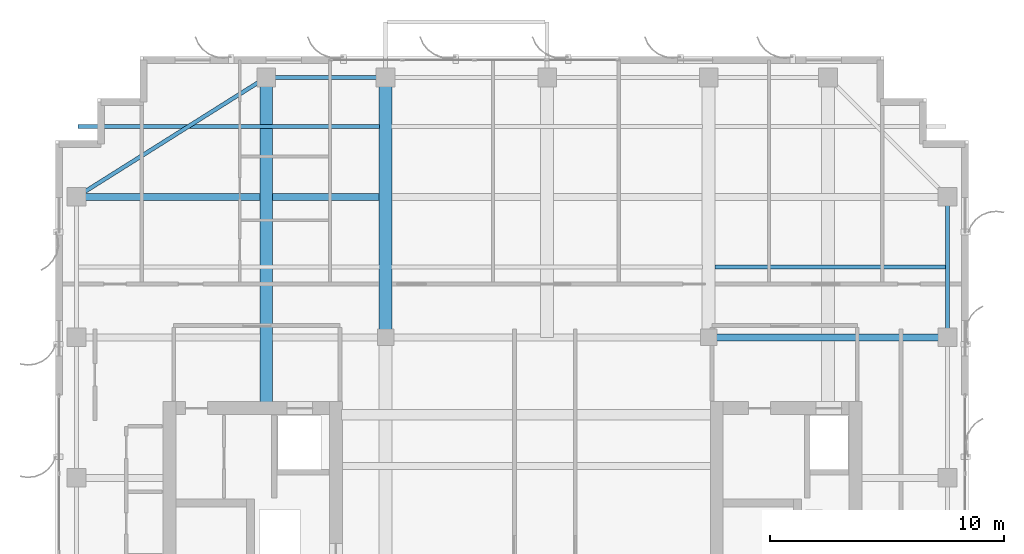
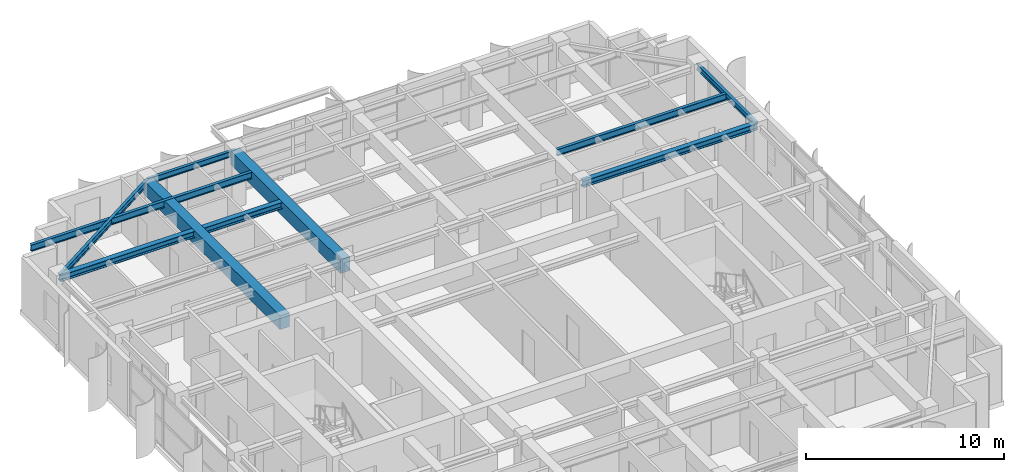
# One storey, part 13 of 23: 9 beams.
"""IFC4 building model written with IfcOpenShell, lengths in metres."""

import ifcopenshell
import ifcopenshell.guid

model = None  # the IFC model being written
_history = None  # IfcOwnerHistory: only IFC2X3 demands one
_inside = {}  # id of a spatial element -> (the spatial element, [elements in it])
_under = {}  # id of a project, library or spatial element -> (it, [spatial elements below it])
_declared = {}  # id of a project -> (the project, [libraries it declares])
_typed = {}  # id of a type object -> (the type object, [elements of that type])
_made_of = {}  # id of a material, layer set ... -> (it, [elements and type objects made of it])


def new_model(schema):
    """Start an empty IFC model of exactly this schema.

    Asked for "IFC4X3", IfcOpenShell would pick the latest addendum, in which some entities
    have other attributes; the version numbers below select the first issue.
    IFC2X3 requires an IfcOwnerHistory on every rooted entity: one is made here for all.
    """
    global model, _history
    if schema == "IFC4X3":
        model = ifcopenshell.file(schema_version=(4, 3, 0, 0))
    else:
        model = ifcopenshell.file(schema=schema)
    _inside.clear()
    _under.clear()
    _declared.clear()
    _typed.clear()
    _made_of.clear()
    _history = None
    if model.schema == "IFC2X3":
        org = make("IfcOrganization", Name="unknown")
        user = make(
            "IfcPersonAndOrganization",
            ThePerson=make("IfcPerson", FamilyName="unknown"),
            TheOrganization=org,
        )
        app = make(
            "IfcApplication",
            ApplicationDeveloper=org,
            Version="unknown",
            ApplicationFullName="unknown",
            ApplicationIdentifier="unknown",
        )
        _history = make(
            "IfcOwnerHistory",
            OwningUser=user,
            OwningApplication=app,
            ChangeAction="ADDED",
            CreationDate=0,
        )
    return model


def make(cls, **values):
    """One entity of the class cls with the attributes given. An attribute that is None is left unset."""
    return model.create_entity(
        cls, **{name: value for name, value in values.items() if value is not None}
    )


def rooted(cls, **values):
    """An entity with a GlobalId (a new one), such as an element, a storey or a relation."""
    return make(cls, GlobalId=ifcopenshell.guid.new(), OwnerHistory=_history, **values)


def si_unit(unit_type, name, prefix=None):
    """IfcSIUnit, for example si_unit("LENGTHUNIT", "METRE", prefix="MILLI")."""
    return make("IfcSIUnit", UnitType=unit_type, Prefix=prefix, Name=name)


def assignment(units):
    """IfcUnitAssignment: the units of a project."""
    return None if units is None else make("IfcUnitAssignment", Units=units)


def point(xyz):
    """IfcCartesianPoint."""
    return None if xyz is None else make("IfcCartesianPoint", Coordinates=xyz)


def direction(xyz):
    """IfcDirection."""
    return None if xyz is None else make("IfcDirection", DirectionRatios=xyz)


def frame(location, z_axis=None, x_axis=None):
    """IfcAxis2Placement3D, a coordinate frame: its origin and axes. An axis left out is left unset."""
    return make(
        "IfcAxis2Placement3D",
        Location=point(location),
        Axis=direction(z_axis),
        RefDirection=direction(x_axis),
    )


def frame_2d(location, x_axis=None):
    """IfcAxis2Placement2D, a coordinate frame in the plane: its origin and x axis."""
    return make(
        "IfcAxis2Placement2D", Location=point(location), RefDirection=direction(x_axis)
    )


def origin():
    """The frame at (0, 0, 0) with its axes left unset."""
    return frame((0.0, 0.0, 0.0))


def origin_2d():
    """The frame at (0, 0) in the plane with its x axis left unset."""
    return frame_2d((0.0, 0.0))


def place(relative_to, where):
    """IfcLocalPlacement: puts the frame where relative to a parent placement (None: the world)."""
    return make(
        "IfcLocalPlacement", PlacementRelTo=relative_to, RelativePlacement=where
    )


def context(
    kind, dimensions, precision=None, world=None, true_north=None, identifier=None
):
    """IfcGeometricRepresentationContext, for example the 3D "Model" context."""
    return make(
        "IfcGeometricRepresentationContext",
        ContextIdentifier=identifier,
        ContextType=kind,
        CoordinateSpaceDimension=dimensions,
        Precision=precision,
        WorldCoordinateSystem=world,
        TrueNorth=true_north,
    )


def subcontext(parent, identifier, kind, view, scale=None):
    """IfcGeometricRepresentationSubContext, for example "Body" below "Model"."""
    return make(
        "IfcGeometricRepresentationSubContext",
        ContextIdentifier=identifier,
        ContextType=kind,
        ParentContext=parent,
        TargetScale=scale,
        TargetView=view,
    )


def project(units=None, contexts=None):
    """IfcProject with its units and contexts."""
    return rooted(
        "IfcProject",
        Name="project",
        RepresentationContexts=contexts,
        UnitsInContext=assignment(units),
    )


def spatial(cls, under=None, at=None, **own):
    """A site, building, storey or space (cls), placed at a placement, below another one or the project."""
    s = rooted(cls, ObjectPlacement=at, **own)
    if under is not None:
        _under.setdefault(under.id(), (under, []))[1].append(s)
    return s


def profile(cls, at=None, kind="AREA", **sizes):
    """A parametric profile (cls). Its sizes go by their IFC names, for example OverallWidth=200.0."""
    return make(cls, ProfileType=kind, Position=at, **sizes)


def rectangle(**sizes):
    """IfcRectangleProfileDef."""
    return profile("IfcRectangleProfileDef", **sizes)


def i_section(**sizes):
    """IfcIShapeProfileDef."""
    return profile("IfcIShapeProfileDef", **sizes)


def extrude(swept, where, along, depth):
    """IfcExtrudedAreaSolid: the profile swept, set in the frame where, extruded along a direction by depth."""
    return make(
        "IfcExtrudedAreaSolid",
        SweptArea=swept,
        Position=where,
        ExtrudedDirection=direction(along),
        Depth=depth,
    )


def shape(context_of_items, identifier, shape_type, items):
    """IfcShapeRepresentation: the items that make up one representation, for example the "Body"."""
    return make(
        "IfcShapeRepresentation",
        ContextOfItems=context_of_items,
        RepresentationIdentifier=identifier,
        RepresentationType=shape_type,
        Items=items,
    )


def source(mapping_origin, context_of_items, identifier, shape_type, items):
    """IfcRepresentationMap: a shape defined once, which mapped items show again and again."""
    return make(
        "IfcRepresentationMap",
        MappingOrigin=mapping_origin,
        MappedRepresentation=shape(context_of_items, identifier, shape_type, items),
    )


def transform(
    local_origin,
    x_axis=None,
    y_axis=None,
    z_axis=None,
    scale=None,
    scale2=None,
    scale3=None,
    uniform=True,
):
    """IfcCartesianTransformationOperator3D, or its non-uniform kind. x_axis, y_axis, z_axis: its Axis1, 2, 3."""
    if uniform:
        return make(
            "IfcCartesianTransformationOperator3D",
            Axis1=direction(x_axis),
            Axis2=direction(y_axis),
            LocalOrigin=point(local_origin),
            Scale=scale,
            Axis3=direction(z_axis),
        )
    return make(
        "IfcCartesianTransformationOperator3DnonUniform",
        Axis1=direction(x_axis),
        Axis2=direction(y_axis),
        LocalOrigin=point(local_origin),
        Scale=scale,
        Axis3=direction(z_axis),
        Scale2=scale2,
        Scale3=scale3,
    )


def mapped(mapping_source, mapping_target):
    """IfcMappedItem: shows the shape of a source again, moved by a transform."""
    return make(
        "IfcMappedItem", MappingSource=mapping_source, MappingTarget=mapping_target
    )


def material(Name=None, Category=None):
    """IfcMaterial."""
    return make("IfcMaterial", Name=Name, Category=Category)


def material_profile(
    of_material, cross_section, Name=None, Category=None, Priority=None
):
    """IfcMaterialProfile: a cross section and its material."""
    return make(
        "IfcMaterialProfile",
        Name=Name,
        Material=of_material,
        Profile=cross_section,
        Priority=Priority,
        Category=Category,
    )


def profile_set(profiles, Name=None, composite=None):
    """IfcMaterialProfileSet."""
    return make(
        "IfcMaterialProfileSet",
        Name=Name,
        MaterialProfiles=profiles,
        CompositeProfile=composite,
    )


def made_of(thing, what):
    """Note that an element or type object is made of a material, layer set ...; save() writes the relation."""
    if what is not None:
        _made_of.setdefault(what.id(), (what, []))[1].append(thing)
    return thing


def type_object(cls, material=None, **own):
    """A type object (cls), such as IfcWallType, which elements share."""
    return made_of(rooted(cls, **own), material)


def element(
    cls,
    number,
    at=None,
    inside=None,
    cuts=None,
    type_object=None,
    material=None,
    context=None,
    identifier="Body",
    shape_type=None,
    held_by="IfcProductDefinitionShape",
    body=None,
    shapes=None,
    **own,
):
    """One element of the class cls, such as IfcWall. Its Tag is "e" and its number.

    at: its placement. inside: the storey or other place that contains it. cuts: it is an
    opening in that element (IfcRelVoidsElement). A single representation is given by context,
    identifier, shape_type and body (its items); several are given by shapes. held_by: the class
    of the entity that holds the representations. save() writes the other relations.
    """
    e = rooted(cls, Tag="e%d" % number, ObjectPlacement=at, **own)
    if body is not None:
        shapes = [shape(context, identifier, shape_type, body)]
    if shapes is not None:
        e.Representation = make(held_by, Representations=shapes)
    if inside is not None:
        _inside.setdefault(inside.id(), (inside, []))[1].append(e)
    if cuts is not None:
        rooted(
            "IfcRelVoidsElement", RelatingBuildingElement=cuts, RelatedOpeningElement=e
        )
    if type_object is not None:
        _typed.setdefault(type_object.id(), (type_object, []))[1].append(e)
    return made_of(e, material)


def aggregate(whole, parts):
    """IfcRelAggregates: a whole, such as a stair, and the parts it consists of."""
    return rooted("IfcRelAggregates", RelatingObject=whole, RelatedObjects=parts)


def save(model, path):
    """Write the relations noted so far, then the file.

    IfcRelAggregates (storeys below a building ...), IfcRelContainedInSpatialStructure (elements
    in a storey), IfcRelDefinesByType, IfcRelAssociatesMaterial and IfcRelDeclares: one each for
    every whole, place, type object, material and project.
    """
    for whole, parts in _under.values():
        aggregate(whole, parts)
    for where, things in _inside.values():
        rooted(
            "IfcRelContainedInSpatialStructure",
            RelatedElements=things,
            RelatingStructure=where,
        )
    for kind, things in _typed.values():
        rooted("IfcRelDefinesByType", RelatedObjects=things, RelatingType=kind)
    for what, things in _made_of.values():
        rooted("IfcRelAssociatesMaterial", RelatedObjects=things, RelatingMaterial=what)
    for by, libraries in _declared.values():
        rooted("IfcRelDeclares", RelatingContext=by, RelatedDefinitions=libraries)
    model.write(path)


model = new_model("IFC4")

# Units and contexts
model_context = context("Model", 3, precision=1e-05, world=origin(), true_north=direction((0.0, 1.0)))
body_context = subcontext(model_context, "Body", "Model", "MODEL_VIEW")
ifc_project = project(units=[si_unit("LENGTHUNIT", "METRE"), si_unit("AREAUNIT", "SQUARE_METRE"), si_unit("VOLUMEUNIT", "CUBIC_METRE"), si_unit("PLANEANGLEUNIT", "RADIAN"), si_unit("MASSUNIT", "GRAM", prefix="KILO")], contexts=[model_context])

# Site, building, storey
site_placement = place(None, origin())
site = spatial("IfcSite", under=ifc_project, at=site_placement, CompositionType="ELEMENT")
building_placement = place(site_placement, origin())
building = spatial("IfcBuilding", under=site, at=building_placement, Name="Khoralis Quay Care Tower", CompositionType="ELEMENT")
storey_placement = place(building_placement, frame((0.0, 0.0, 270.89990234375)))
storey = spatial("IfcBuildingStorey", under=building, at=storey_placement, Name="L71", CompositionType="ELEMENT", Elevation=270.89990234375)

# Beams
ifc_material_1 = material(Name="Steel S355", Category="steel")
ifc_material_profile_1 = material_profile(ifc_material_1, i_section(OverallWidth=0.169921875, OverallDepth=0.360107421875, WebThickness=0.008056640625, FlangeThickness=0.0126953125, FilletRadius=0.01806640625, at=origin_2d()), Name="Steel S355")
ifc_profile_set_1 = profile_set([ifc_material_profile_1], Name="Steel S355")
beam_type_1 = type_object("IfcBeamType", Name="BM-IPE360", PredefinedType="SPANDREL", material=ifc_profile_set_1)
shared_shape_1 = source(origin(), body_context, "Body", "SweptSolid", [
    extrude(i_section(OverallWidth=0.169921875, OverallDepth=0.360107421875, WebThickness=0.008056640625, FlangeThickness=0.0126953125, FilletRadius=0.01806640625, at=origin_2d()), origin(), (0.0, 0.0, 1.0), 5.10009765625),
])
beam_1_placement = place(storey_placement, frame((12.0, 41.10009765625, 3.14013671875), z_axis=(1.0, 0.0, 0.0), x_axis=(0.0, 1.0, 0.0)))
element("IfcBeam", 1, at=beam_1_placement, inside=storey, type_object=beam_type_1, Name="BM-TSP-L71-05", PredefinedType="SPANDREL", context=body_context, shape_type="MappedRepresentation", body=[
    mapped(shared_shape_1, transform((0.0, 0.0, 0.0), scale=1.0)),
])
shared_shape_2 = source(origin(), body_context, "Body", "SweptSolid", [
    extrude(i_section(OverallWidth=0.169921875, OverallDepth=0.360107421875, WebThickness=0.008056640625, FlangeThickness=0.0126953125, FilletRadius=0.01806640625, at=origin_2d()), origin(), (0.0, 0.0, 1.0), 6.0),
])
beam_2_placement = place(storey_placement, frame((41.10009765625, 30.0, 3.14013671875), z_axis=(0.0, 1.0, 0.0), x_axis=(-1.0, 0.0, 0.0)))
element("IfcBeam", 2, at=beam_2_placement, inside=storey, type_object=beam_type_1, Name="BM-TSP-L71-16", PredefinedType="SPANDREL", context=body_context, shape_type="MappedRepresentation", body=[
    mapped(shared_shape_2, transform((0.0, 0.0, 0.0), scale=1.0)),
])
shared_shape_3 = source(origin(), body_context, "Body", "SweptSolid", [
    extrude(i_section(OverallWidth=0.169921875, OverallDepth=0.360107421875, WebThickness=0.008056640625, FlangeThickness=0.0126953125, FilletRadius=0.01806640625, at=origin_2d()), origin(), (0.0, 0.0, 1.0), 9.572021484375),
])
beam_3_placement = place(storey_placement, frame((12.0, 41.10009765625, 3.14013671875), z_axis=(-0.846231136359, -0.532815975602, 0.0), x_axis=(0.532815975602, -0.846231136359, 0.0)))
element("IfcBeam", 3, at=beam_3_placement, inside=storey, type_object=beam_type_1, Name="BM-TCR-L71-19", PredefinedType="SPANDREL", context=body_context, shape_type="MappedRepresentation", body=[
    mapped(shared_shape_3, transform((0.0, 0.0, 0.0), scale=1.0)),
])
ifc_material_profile_2 = material_profile(ifc_material_1, i_section(OverallWidth=0.300048828125, OverallDepth=0.39990234375, WebThickness=0.013427734375, FlangeThickness=0.02392578125, FilletRadius=0.027099609375, at=origin_2d()), Name="Steel S355")
ifc_profile_set_2 = profile_set([ifc_material_profile_2], Name="Steel S355")
beam_type_2 = type_object("IfcBeamType", Name="BM-HEB400", PredefinedType="BEAM", material=ifc_profile_set_2)
shared_shape_4 = source(origin(), body_context, "Body", "SweptSolid", [
    extrude(i_section(OverallWidth=0.300048828125, OverallDepth=0.39990234375, WebThickness=0.013427734375, FlangeThickness=0.02392578125, FilletRadius=0.027099609375, at=origin_2d()), origin(), (0.0, 0.0, 1.0), 12.93701171875),
])
beam_4_placement = place(storey_placement, frame((3.89990234375, 36.0, 3.1201171875), z_axis=(1.0, 0.0, 0.0), x_axis=(0.0, 1.0, 0.0)))
element("IfcBeam", 4, at=beam_4_placement, inside=storey, type_object=beam_type_2, Name="BM-TGXW-L71-360", PredefinedType="BEAM", context=body_context, shape_type="MappedRepresentation", body=[
    mapped(shared_shape_4, transform((0.0, 0.0, 0.0), scale=1.0)),
])
shared_shape_5 = source(origin(), body_context, "Body", "SweptSolid", [
    extrude(i_section(OverallWidth=0.300048828125, OverallDepth=0.39990234375, WebThickness=0.013427734375, FlangeThickness=0.02392578125, FilletRadius=0.027099609375, at=origin_2d()), origin(), (0.0, 0.0, 1.0), 10.2001953125),
])
beam_5_placement = place(storey_placement, frame((30.89990234375, 30.0, 3.1201171875), z_axis=(1.0, 0.0, 0.0), x_axis=(0.0, 1.0, 0.0)))
element("IfcBeam", 5, at=beam_5_placement, inside=storey, type_object=beam_type_2, Name="BM-TGXE-L71-300", PredefinedType="BEAM", context=body_context, shape_type="MappedRepresentation", body=[
    mapped(shared_shape_5, transform((0.0, 0.0, 0.0), scale=1.0)),
])
ifc_material_2 = material(Name="Concrete C50/60", Category="concrete")
ifc_material_profile_3 = material_profile(ifc_material_2, rectangle(XDim=0.550048828125, YDim=0.85009765625, at=origin_2d()), Name="Concrete C50/60")
ifc_profile_set_3 = profile_set([ifc_material_profile_3], Name="Concrete C50/60")
beam_type_3 = type_object("IfcBeamType", Name="BM-RC550X850", PredefinedType="BEAM", material=ifc_profile_set_3)
shared_shape_6 = source(origin(), body_context, "Body", "SweptSolid", [
    extrude(rectangle(XDim=0.550048828125, YDim=0.85009765625, at=origin_2d()), origin(), (0.0, 0.0, 1.0), 13.85205078125),
])
beam_6_placement = place(storey_placement, frame((12.0, 27.248046875, 2.89501953125), z_axis=(0.0, 1.0, 0.0), x_axis=(-1.0, 0.0, 0.0)))
element("IfcBeam", 6, at=beam_6_placement, inside=storey, type_object=beam_type_3, Name="BM-TGYN-L71-120", PredefinedType="BEAM", context=body_context, shape_type="MappedRepresentation", body=[
    mapped(shared_shape_6, transform((0.0, 0.0, 0.0), scale=1.0)),
])
shared_shape_7 = source(origin(), body_context, "Body", "SweptSolid", [
    extrude(rectangle(XDim=0.550048828125, YDim=0.85009765625, at=origin_2d()), origin(), (0.0, 0.0, 1.0), 11.10009765625),
])
beam_7_placement = place(storey_placement, frame((17.10009765625, 30.0, 2.89501953125), z_axis=(0.0, 1.0, 0.0), x_axis=(-1.0, 0.0, 0.0)))
element("IfcBeam", 7, at=beam_7_placement, inside=storey, type_object=beam_type_3, Name="BM-TGYN-L71-171", PredefinedType="BEAM", context=body_context, shape_type="MappedRepresentation", body=[
    mapped(shared_shape_7, transform((0.0, 0.0, 0.0), scale=1.0)),
])
ifc_material_profile_4 = material_profile(ifc_material_1, i_section(OverallWidth=0.177978515625, OverallDepth=0.406982421875, WebThickness=0.0078125, FlangeThickness=0.0126953125, FilletRadius=0.012939453125, at=origin_2d()), Name="Steel S355")
ifc_profile_set_4 = profile_set([ifc_material_profile_4], Name="Steel S355")
beam_type_4 = type_object("IfcBeamType", Name="BM-W410X60", PredefinedType="JOIST", material=ifc_profile_set_4)
shared_shape_8 = source(origin(), body_context, "Body", "SweptSolid", [
    extrude(i_section(OverallWidth=0.177978515625, OverallDepth=0.406982421875, WebThickness=0.0078125, FlangeThickness=0.0126953125, FilletRadius=0.012939453125, at=origin_2d()), origin(), (0.0, 0.0, 1.0), 12.865966796875),
])
beam_8_placement = place(storey_placement, frame((3.970947265625, 39.0, 3.11669921875), z_axis=(1.0, 0.0, 0.0), x_axis=(0.0, 1.0, 0.0)))
element("IfcBeam", 8, at=beam_8_placement, inside=storey, type_object=beam_type_4, Name="BM-TJS-L71-27", PredefinedType="JOIST", context=body_context, shape_type="MappedRepresentation", body=[
    mapped(shared_shape_8, transform((0.0, 0.0, 0.0), scale=1.0)),
])
shared_shape_9 = source(origin(), body_context, "Body", "SweptSolid", [
    extrude(i_section(OverallWidth=0.177978515625, OverallDepth=0.406982421875, WebThickness=0.0078125, FlangeThickness=0.0126953125, FilletRadius=0.012939453125, at=origin_2d()), origin(), (0.0, 0.0, 1.0), 9.865966796875),
])
beam_9_placement = place(storey_placement, frame((31.1630859375, 33.0, 3.11669921875), z_axis=(1.0, 0.0, 0.0), x_axis=(0.0, 1.0, 0.0)))
element("IfcBeam", 9, at=beam_9_placement, inside=storey, type_object=beam_type_4, Name="BM-TJS-L71-25", PredefinedType="JOIST", context=body_context, shape_type="MappedRepresentation", body=[
    mapped(shared_shape_9, transform((0.0, 0.0, 0.0), scale=1.0)),
])

save(model, "model.ifc")
